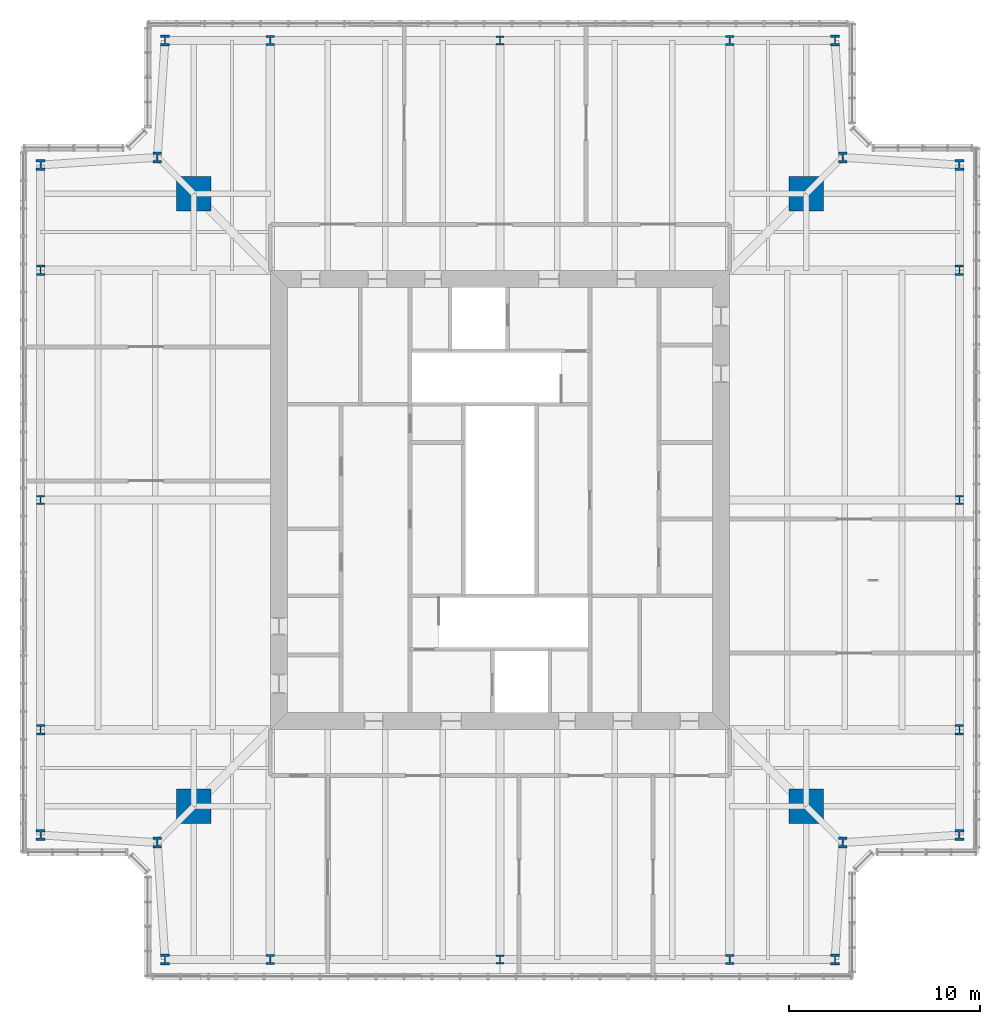
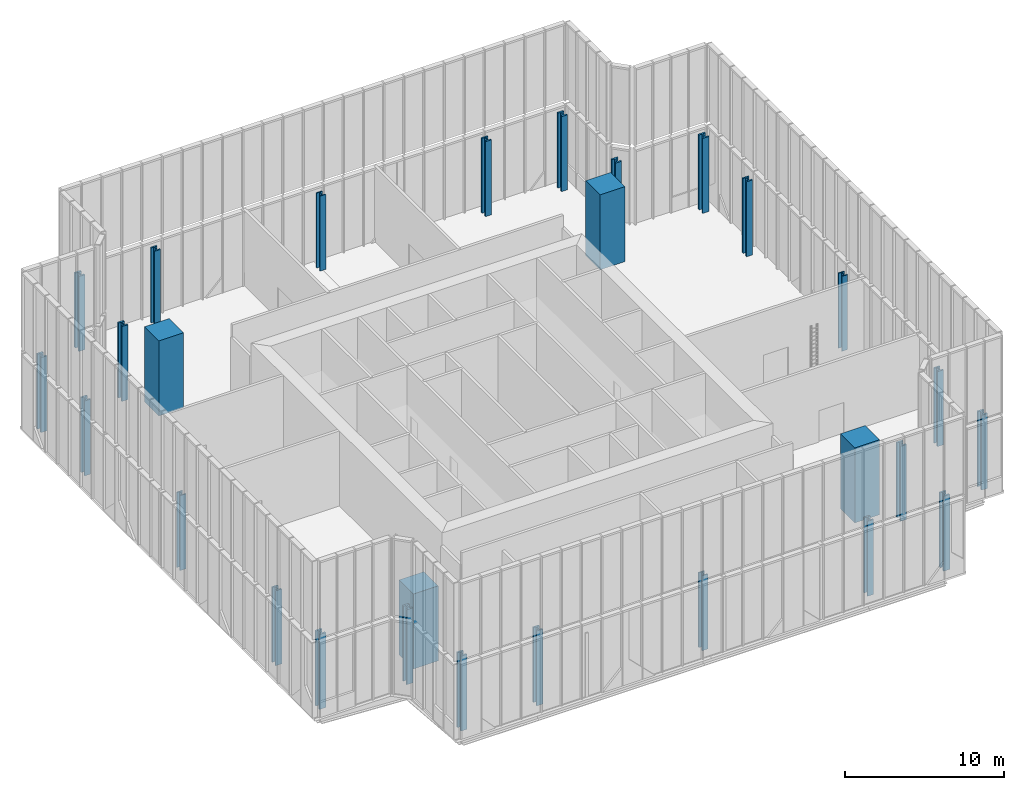
# One storey, part 1 of 25: 28 columns.
"""IFC4 building model written with IfcOpenShell, lengths in metres."""

from ifc_helpers import new_model, si_unit, direction, frame, origin, origin_2d, place, context, subcontext, project, spatial, rectangle, i_section, extrude, material, material_profile, profile_set, type_object, element, save


model = new_model("IFC4")

# Units and contexts
model_context = context("Model", 3, precision=1e-05, world=origin(), true_north=direction((0.0, 1.0)))
body_context = subcontext(model_context, "Body", "Model", "MODEL_VIEW")
ifc_project = project(units=[si_unit("LENGTHUNIT", "METRE"), si_unit("AREAUNIT", "SQUARE_METRE"), si_unit("VOLUMEUNIT", "CUBIC_METRE"), si_unit("PLANEANGLEUNIT", "RADIAN"), si_unit("MASSUNIT", "GRAM", prefix="KILO")], contexts=[model_context])

# Site, building, storey
site_placement = place(None, origin())
site = spatial("IfcSite", under=ifc_project, at=site_placement, CompositionType="ELEMENT")
building_placement = place(site_placement, origin())
building = spatial("IfcBuilding", under=site, at=building_placement, Name="Fenwick Lantern Interchange", CompositionType="ELEMENT")
storey_placement = place(building_placement, frame((0.0, 0.0, 307.800048828125)))
storey = spatial("IfcBuildingStorey", under=building, at=storey_placement, Name="L74", CompositionType="ELEMENT", Elevation=307.800048828125)

# Columns
ifc_material_1 = material(Name="Concrete f'c 70 MPa", Category="concrete")
ifc_material_profile_1 = material_profile(ifc_material_1, rectangle(XDim=1.800048828125, YDim=1.800048828125, at=origin_2d()), Name="RC1800X1800")
ifc_profile_set_1 = profile_set([ifc_material_profile_1], Name="Concrete f'c 70 MPa")
column_type_1 = type_object("IfcColumnType", Name="MEGA COLUMN RC1800X1800", PredefinedType="COLUMN", material=ifc_profile_set_1)
for number, where, z_axis, x_axis, name in (
    (1, (9.0, 9.0, 0.0), (0.0, 0.0, 1.0), (1.0, 0.0, 0.0), "L74/M1"),
    (2, (41.0, 9.0, 0.0), (0.0, 0.0, 1.0), (1.0, 0.0, 0.0), "L74/M2"),
    (3, (41.0, 41.0, 0.0), (0.0, 0.0, 1.0), (1.0, 0.0, 0.0), "L74/M3"),
    (4, (9.0, 41.0, 0.0), (0.0, 0.0, 1.0), (1.0, 0.0, 0.0), "L74/M4"),
):
    element("IfcColumn", number, at=place(storey_placement, frame(where, z_axis=z_axis, x_axis=x_axis)), inside=storey, type_object=column_type_1, Name=name, PredefinedType="COLUMN", context=body_context, shape_type="SweptSolid", body=[
        extrude(rectangle(XDim=1.800048828125, YDim=1.800048828125, at=origin_2d()), origin(), (0.0, 0.0, 1.0), 5.75),
    ])
ifc_material_2 = material(Name="Steel ASTM A992 Grade 50", Category="steel")
ifc_material_profile_2 = material_profile(ifc_material_2, i_section(OverallWidth=0.424072265625, OverallDepth=0.47509765625, WebThickness=0.0478515625, FlangeThickness=0.0771484375, at=origin_2d()), Name="W14X426")
ifc_profile_set_2 = profile_set([ifc_material_profile_2], Name="Steel ASTM A992 Grade 50")
column_type_2 = type_object("IfcColumnType", Name="PERIMETER COLUMN W14X426", PredefinedType="COLUMN", material=ifc_profile_set_2)
for number, where, z_axis, x_axis, name in (
    (5, (25.0, 1.0, 0.0), (0.0, 0.0, 1.0), (1.0, 0.0, 0.0), "L74/CS3"),
    (6, (49.0, 25.0, 0.0), (0.0, 0.0, 1.0), (1.0, 0.0, 0.0), "L74/CE3"),
    (7, (25.0, 49.0, 0.0), (0.0, 0.0, 1.0), (1.0, 0.0, 0.0), "L74/CN3"),
    (8, (1.0, 25.0, 0.0), (0.0, 0.0, 1.0), (1.0, 0.0, 0.0), "L74/CW3"),
):
    element("IfcColumn", number, at=place(storey_placement, frame(where, z_axis=z_axis, x_axis=x_axis)), inside=storey, type_object=column_type_2, Name=name, PredefinedType="COLUMN", context=body_context, shape_type="SweptSolid", body=[
        extrude(i_section(OverallWidth=0.424072265625, OverallDepth=0.47509765625, WebThickness=0.0478515625, FlangeThickness=0.0771484375, at=origin_2d()), origin(), (0.0, 0.0, 1.0), 5.75),
    ])
ifc_material_profile_3 = material_profile(ifc_material_2, i_section(OverallWidth=0.44189453125, OverallDepth=0.53076171875, WebThickness=0.06591796875, FlangeThickness=0.105712890625, at=origin_2d()), Name="W14X605")
ifc_profile_set_3 = profile_set([ifc_material_profile_3], Name="Steel ASTM A992 Grade 50")
column_type_3 = type_object("IfcColumnType", Name="PERIMETER COLUMN W14X605", PredefinedType="COLUMN", material=ifc_profile_set_3)
for number, where, z_axis, x_axis, name in (
    (9, (13.0, 1.0, 0.0), (0.0, 0.0, 1.0), (1.0, 0.0, 0.0), "L74/CS2"),
    (10, (37.0, 1.0, 0.0), (0.0, 0.0, 1.0), (1.0, 0.0, 0.0), "L74/CS4"),
    (11, (49.0, 13.0, 0.0), (0.0, 0.0, 1.0), (1.0, 0.0, 0.0), "L74/CE2"),
    (12, (49.0, 37.0, 0.0), (0.0, 0.0, 1.0), (1.0, 0.0, 0.0), "L74/CE4"),
    (13, (37.0, 49.0, 0.0), (0.0, 0.0, 1.0), (1.0, 0.0, 0.0), "L74/CN2"),
    (14, (13.0, 49.0, 0.0), (0.0, 0.0, 1.0), (1.0, 0.0, 0.0), "L74/CN4"),
    (15, (1.0, 37.0, 0.0), (0.0, 0.0, 1.0), (1.0, 0.0, 0.0), "L74/CW2"),
    (16, (1.0, 13.0, 0.0), (0.0, 0.0, 1.0), (1.0, 0.0, 0.0), "L74/CW4"),
):
    element("IfcColumn", number, at=place(storey_placement, frame(where, z_axis=z_axis, x_axis=x_axis)), inside=storey, type_object=column_type_3, Name=name, PredefinedType="COLUMN", context=body_context, shape_type="SweptSolid", body=[
        extrude(i_section(OverallWidth=0.44189453125, OverallDepth=0.53076171875, WebThickness=0.06591796875, FlangeThickness=0.105712890625, at=origin_2d()), origin(), (0.0, 0.0, 1.0), 5.75),
    ])
ifc_material_profile_4 = material_profile(ifc_material_2, i_section(OverallWidth=0.45458984375, OverallDepth=0.56884765625, WebThickness=0.077880859375, FlangeThickness=0.124755859375, at=origin_2d()), Name="W14X730")
ifc_profile_set_4 = profile_set([ifc_material_profile_4], Name="Steel ASTM A992 Grade 50")
column_type_4 = type_object("IfcColumnType", Name="PERIMETER COLUMN W14X730", PredefinedType="COLUMN", material=ifc_profile_set_4)
for number, where, z_axis, x_axis, name in (
    (17, (7.5, 1.0, 0.0), (0.0, 0.0, 1.0), (1.0, 0.0, 0.0), "L74/CS1"),
    (18, (42.5, 1.0, 0.0), (0.0, 0.0, 1.0), (1.0, 0.0, 0.0), "L74/CS5"),
    (19, (42.89990234375, 7.10009765625, 0.0), (0.0, 0.0, 1.0), (1.0, 0.0, 0.0), "L74/CSR"),
    (20, (49.0, 7.5, 0.0), (0.0, 0.0, 1.0), (1.0, 0.0, 0.0), "L74/CE1"),
    (21, (49.0, 42.5, 0.0), (0.0, 0.0, 1.0), (1.0, 0.0, 0.0), "L74/CE5"),
    (22, (42.89990234375, 42.89990234375, 0.0), (0.0, 0.0, 1.0), (1.0, 0.0, 0.0), "L74/CER"),
    (23, (42.5, 49.0, 0.0), (0.0, 0.0, 1.0), (1.0, 0.0, 0.0), "L74/CN1"),
    (24, (7.5, 49.0, 0.0), (0.0, 0.0, 1.0), (1.0, 0.0, 0.0), "L74/CN5"),
    (25, (7.10009765625, 42.89990234375, 0.0), (0.0, 0.0, 1.0), (1.0, 0.0, 0.0), "L74/CNR"),
    (26, (1.0, 42.5, 0.0), (0.0, 0.0, 1.0), (1.0, 0.0, 0.0), "L74/CW1"),
    (27, (1.0, 7.5, 0.0), (0.0, 0.0, 1.0), (1.0, 0.0, 0.0), "L74/CW5"),
    (28, (7.10009765625, 7.10009765625, 0.0), (0.0, 0.0, 1.0), (1.0, 0.0, 0.0), "L74/CWR"),
):
    element("IfcColumn", number, at=place(storey_placement, frame(where, z_axis=z_axis, x_axis=x_axis)), inside=storey, type_object=column_type_4, Name=name, PredefinedType="COLUMN", context=body_context, shape_type="SweptSolid", body=[
        extrude(i_section(OverallWidth=0.45458984375, OverallDepth=0.56884765625, WebThickness=0.077880859375, FlangeThickness=0.124755859375, at=origin_2d()), origin(), (0.0, 0.0, 1.0), 5.75),
    ])

save(model, "model.ifc")
